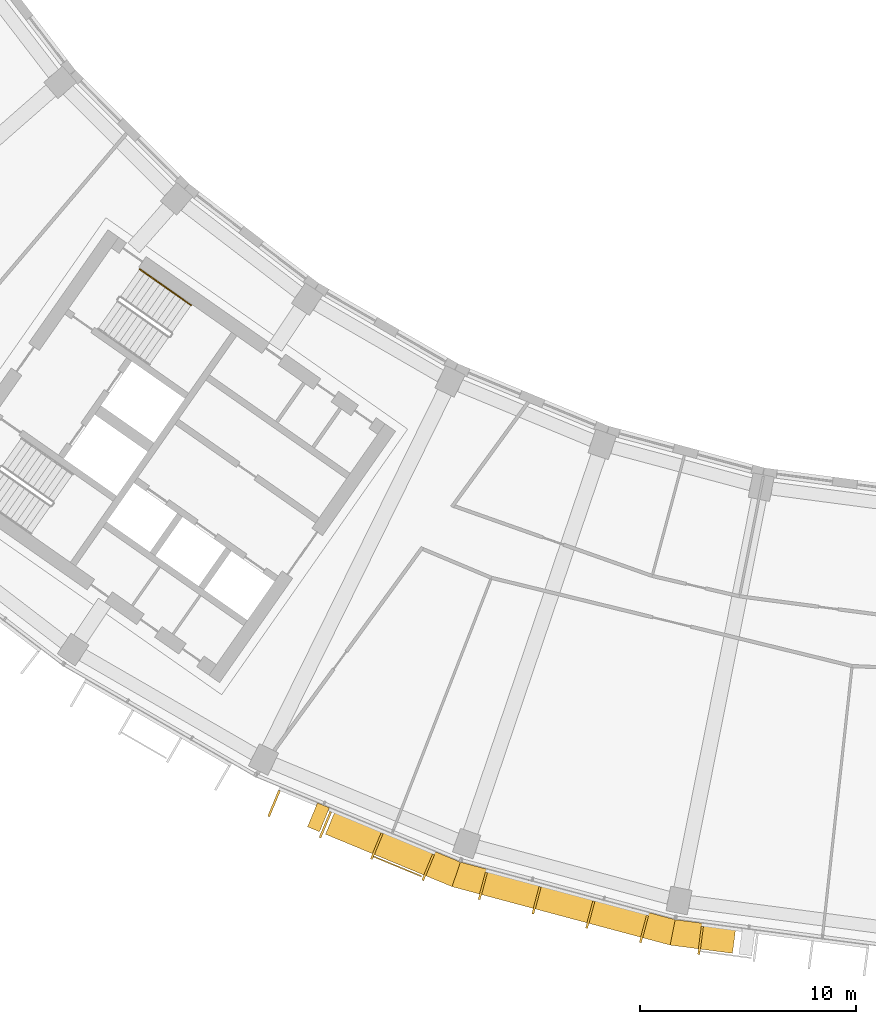
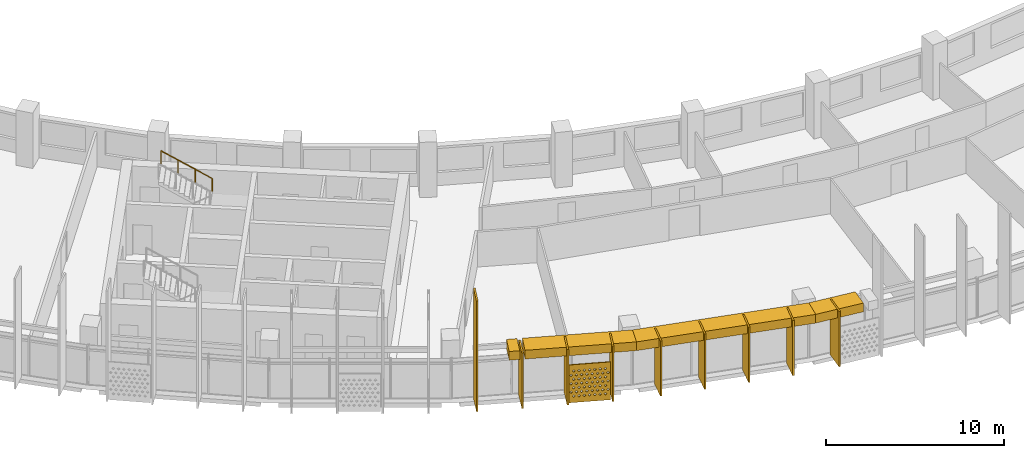
# One storey, part 24 of 28: 14 shading devices, 1 railing.
"""IFC4 building model written with IfcOpenShell, lengths in metres."""

from ifc_helpers import new_model, si_unit, direction, frame, origin, origin_2d, place, context, subcontext, project, spatial, polyline, rectangle, circle, outline, extrude, material, material_profile, profile_set, type_object, element, save


model = new_model("IFC4")

# Units and contexts
model_context = context("Model", 3, precision=1e-05, world=origin(), true_north=direction((0.0, 1.0)))
body_context = subcontext(model_context, "Body", "Model", "MODEL_VIEW")
ifc_project = project(units=[si_unit("LENGTHUNIT", "METRE"), si_unit("AREAUNIT", "SQUARE_METRE"), si_unit("VOLUMEUNIT", "CUBIC_METRE"), si_unit("PLANEANGLEUNIT", "RADIAN"), si_unit("MASSUNIT", "GRAM", prefix="KILO")], contexts=[model_context])

# Site, building, storey
site_placement = place(None, origin())
site = spatial("IfcSite", under=ifc_project, at=site_placement, CompositionType="ELEMENT")
building_placement = place(site_placement, origin())
building = spatial("IfcBuilding", under=site, at=building_placement, Name="Qamariyya Broadcast Tower", CompositionType="ELEMENT")
storey_placement = place(building_placement, frame((0.0, 0.0, 226.5)))
storey = spatial("IfcBuildingStorey", under=building, at=storey_placement, Name="L54", CompositionType="ELEMENT", Elevation=226.5)

# Shading devices
ifc_material_1 = material(Name="Steel S355 powder coated deep red", Category="steel")
shading_device_type_1 = type_object("IfcShadingDeviceType", Name="Deep red frame, powder coated steel box section", PredefinedType="USERDEFINED", material=ifc_material_1)
shading_device_1_placement = place(storey_placement, frame((0.0, 0.0, 3.199951171875)))
element("IfcShadingDevice", 1, at=shading_device_1_placement, inside=storey, type_object=shading_device_type_1, Name="e-frm-B4-F1-posta-L54", ObjectType="FRAME", PredefinedType="USERDEFINED", context=body_context, shape_type="SweptSolid", body=[
    extrude(outline(polyline([(-31.89501953125, -71.736572265625), (-32.35400390625, -72.84521484375), (-31.7998046875, -73.074951171875), (-31.340576171875, -71.966064453125), (-31.89501953125, -71.736572265625)])), origin(), (0.0, 0.0, 1.0), 0.60009765625),
])
shading_device_2_placement = place(storey_placement, frame((0.0, 0.0, 3.199951171875)))
element("IfcShadingDevice", 2, at=shading_device_2_placement, inside=storey, type_object=shading_device_type_1, Name="e-frm-B4-F1-bot0", ObjectType="FRAME", PredefinedType="USERDEFINED", context=body_context, shape_type="SweptSolid", body=[
    extrude(outline(polyline([(-31.0634765625, -72.0810546875), (-31.522705078125, -73.189697265625), (-25.667724609375, -75.61474609375), (-25.28125, -74.47607421875), (-31.0634765625, -72.0810546875)])), origin(), (0.0, 0.0, 1.0), 0.60009765625),
])
shading_device_3_placement = place(storey_placement, frame((0.0, 0.0, 3.199951171875)))
element("IfcShadingDevice", 3, at=shading_device_3_placement, inside=storey, type_object=shading_device_type_1, Name="e-frm-B4-F1-bot1", ObjectType="FRAME", PredefinedType="USERDEFINED", context=body_context, shape_type="SweptSolid", body=[
    extrude(outline(polyline([(-25.28125, -74.47607421875), (-25.667724609375, -75.61474609375), (-15.578369140625, -78.318115234375), (-15.34375, -77.138671875), (-25.28125, -74.47607421875)])), origin(), (0.0, 0.0, 1.0), 0.60009765625),
])
shading_device_4_placement = place(storey_placement, frame((0.0, 0.0, 3.199951171875)))
element("IfcShadingDevice", 4, at=shading_device_4_placement, inside=storey, type_object=shading_device_type_1, Name="e-frm-B4-F1-bot2", ObjectType="FRAME", PredefinedType="USERDEFINED", context=body_context, shape_type="SweptSolid", body=[
    extrude(outline(polyline([(-15.34375, -77.138671875), (-15.578369140625, -78.318115234375), (-12.6953125, -78.69775390625), (-12.538818359375, -77.508056640625), (-15.34375, -77.138671875)])), origin(), (0.0, 0.0, 1.0), 0.60009765625),
])
ifc_material_2 = material(Name="Perforated glazed terracotta", Category="masonry")
ifc_material_profile_1 = material_profile(ifc_material_2, outline(polyline([(-1.199951171875, -1.300048828125), (1.199951171875, -1.300048828125), (1.199951171875, 1.300048828125), (-1.199951171875, 1.300048828125), (-1.199951171875, -1.300048828125)]), holes=[polyline([(-0.81494140625, -0.86669921875), (-0.89990234375, -0.78173828125), (-0.985107421875, -0.86669921875), (-0.89990234375, -0.95166015625), (-0.81494140625, -0.86669921875)]), polyline([(-0.514892578125, -0.86669921875), (-0.60009765625, -0.78173828125), (-0.68505859375, -0.86669921875), (-0.60009765625, -0.95166015625), (-0.514892578125, -0.86669921875)]), polyline([(-0.215087890625, -0.86669921875), (-0.300048828125, -0.78173828125), (-0.385009765625, -0.86669921875), (-0.300048828125, -0.95166015625), (-0.215087890625, -0.86669921875)]), polyline([(0.0849609375, -0.86669921875), (0.0, -0.78173828125), (-0.0849609375, -0.86669921875), (0.0, -0.95166015625), (0.0849609375, -0.86669921875)]), polyline([(0.385009765625, -0.86669921875), (0.300048828125, -0.78173828125), (0.215087890625, -0.86669921875), (0.300048828125, -0.95166015625), (0.385009765625, -0.86669921875)]), polyline([(0.68505859375, -0.86669921875), (0.60009765625, -0.78173828125), (0.514892578125, -0.86669921875), (0.60009765625, -0.95166015625), (0.68505859375, -0.86669921875)]), polyline([(0.985107421875, -0.86669921875), (0.89990234375, -0.78173828125), (0.81494140625, -0.86669921875), (0.89990234375, -0.95166015625), (0.985107421875, -0.86669921875)]), polyline([(-0.965087890625, -0.577880859375), (-1.050048828125, -0.49267578125), (-1.135009765625, -0.577880859375), (-1.050048828125, -0.662841796875), (-0.965087890625, -0.577880859375)]), polyline([(-0.6650390625, -0.577880859375), (-0.75, -0.49267578125), (-0.8349609375, -0.577880859375), (-0.75, -0.662841796875), (-0.6650390625, -0.577880859375)]), polyline([(-0.364990234375, -0.577880859375), (-0.449951171875, -0.49267578125), (-0.534912109375, -0.577880859375), (-0.449951171875, -0.662841796875), (-0.364990234375, -0.577880859375)]), polyline([(-0.06494140625, -0.577880859375), (-0.14990234375, -0.49267578125), (-0.235107421875, -0.577880859375), (-0.14990234375, -0.662841796875), (-0.06494140625, -0.577880859375)]), polyline([(0.235107421875, -0.577880859375), (0.14990234375, -0.49267578125), (0.06494140625, -0.577880859375), (0.14990234375, -0.662841796875), (0.235107421875, -0.577880859375)]), polyline([(0.534912109375, -0.577880859375), (0.449951171875, -0.49267578125), (0.364990234375, -0.577880859375), (0.449951171875, -0.662841796875), (0.534912109375, -0.577880859375)]), polyline([(0.8349609375, -0.577880859375), (0.75, -0.49267578125), (0.6650390625, -0.577880859375), (0.75, -0.662841796875), (0.8349609375, -0.577880859375)]), polyline([(1.135009765625, -0.577880859375), (1.050048828125, -0.49267578125), (0.965087890625, -0.577880859375), (1.050048828125, -0.662841796875), (1.135009765625, -0.577880859375)]), polyline([(-0.81494140625, -0.288818359375), (-0.89990234375, -0.203857421875), (-0.985107421875, -0.288818359375), (-0.89990234375, -0.373779296875), (-0.81494140625, -0.288818359375)]), polyline([(-0.514892578125, -0.288818359375), (-0.60009765625, -0.203857421875), (-0.68505859375, -0.288818359375), (-0.60009765625, -0.373779296875), (-0.514892578125, -0.288818359375)]), polyline([(-0.215087890625, -0.288818359375), (-0.300048828125, -0.203857421875), (-0.385009765625, -0.288818359375), (-0.300048828125, -0.373779296875), (-0.215087890625, -0.288818359375)]), polyline([(0.0849609375, -0.288818359375), (0.0, -0.203857421875), (-0.0849609375, -0.288818359375), (0.0, -0.373779296875), (0.0849609375, -0.288818359375)]), polyline([(0.385009765625, -0.288818359375), (0.300048828125, -0.203857421875), (0.215087890625, -0.288818359375), (0.300048828125, -0.373779296875), (0.385009765625, -0.288818359375)]), polyline([(0.68505859375, -0.288818359375), (0.60009765625, -0.203857421875), (0.514892578125, -0.288818359375), (0.60009765625, -0.373779296875), (0.68505859375, -0.288818359375)]), polyline([(0.985107421875, -0.288818359375), (0.89990234375, -0.203857421875), (0.81494140625, -0.288818359375), (0.89990234375, -0.373779296875), (0.985107421875, -0.288818359375)]), polyline([(-0.965087890625, 0.0), (-1.050048828125, 0.0849609375), (-1.135009765625, 0.0), (-1.050048828125, -0.0849609375), (-0.965087890625, 0.0)]), polyline([(-0.6650390625, 0.0), (-0.75, 0.0849609375), (-0.8349609375, 0.0), (-0.75, -0.0849609375), (-0.6650390625, 0.0)]), polyline([(-0.364990234375, 0.0), (-0.449951171875, 0.0849609375), (-0.534912109375, 0.0), (-0.449951171875, -0.0849609375), (-0.364990234375, 0.0)]), polyline([(-0.06494140625, 0.0), (-0.14990234375, 0.0849609375), (-0.235107421875, 0.0), (-0.14990234375, -0.0849609375), (-0.06494140625, 0.0)]), polyline([(0.235107421875, 0.0), (0.14990234375, 0.0849609375), (0.06494140625, 0.0), (0.14990234375, -0.0849609375), (0.235107421875, 0.0)]), polyline([(0.534912109375, 0.0), (0.449951171875, 0.0849609375), (0.364990234375, 0.0), (0.449951171875, -0.0849609375), (0.534912109375, 0.0)]), polyline([(0.8349609375, 0.0), (0.75, 0.0849609375), (0.6650390625, 0.0), (0.75, -0.0849609375), (0.8349609375, 0.0)]), polyline([(1.135009765625, 0.0), (1.050048828125, 0.0849609375), (0.965087890625, 0.0), (1.050048828125, -0.0849609375), (1.135009765625, 0.0)]), polyline([(-0.81494140625, 0.288818359375), (-0.89990234375, 0.373779296875), (-0.985107421875, 0.288818359375), (-0.89990234375, 0.203857421875), (-0.81494140625, 0.288818359375)]), polyline([(-0.514892578125, 0.288818359375), (-0.60009765625, 0.373779296875), (-0.68505859375, 0.288818359375), (-0.60009765625, 0.203857421875), (-0.514892578125, 0.288818359375)]), polyline([(-0.215087890625, 0.288818359375), (-0.300048828125, 0.373779296875), (-0.385009765625, 0.288818359375), (-0.300048828125, 0.203857421875), (-0.215087890625, 0.288818359375)]), polyline([(0.0849609375, 0.288818359375), (0.0, 0.373779296875), (-0.0849609375, 0.288818359375), (0.0, 0.203857421875), (0.0849609375, 0.288818359375)]), polyline([(0.385009765625, 0.288818359375), (0.300048828125, 0.373779296875), (0.215087890625, 0.288818359375), (0.300048828125, 0.203857421875), (0.385009765625, 0.288818359375)]), polyline([(0.68505859375, 0.288818359375), (0.60009765625, 0.373779296875), (0.514892578125, 0.288818359375), (0.60009765625, 0.203857421875), (0.68505859375, 0.288818359375)]), polyline([(0.985107421875, 0.288818359375), (0.89990234375, 0.373779296875), (0.81494140625, 0.288818359375), (0.89990234375, 0.203857421875), (0.985107421875, 0.288818359375)]), polyline([(-0.965087890625, 0.577880859375), (-1.050048828125, 0.662841796875), (-1.135009765625, 0.577880859375), (-1.050048828125, 0.49267578125), (-0.965087890625, 0.577880859375)]), polyline([(-0.6650390625, 0.577880859375), (-0.75, 0.662841796875), (-0.8349609375, 0.577880859375), (-0.75, 0.49267578125), (-0.6650390625, 0.577880859375)]), polyline([(-0.364990234375, 0.577880859375), (-0.449951171875, 0.662841796875), (-0.534912109375, 0.577880859375), (-0.449951171875, 0.49267578125), (-0.364990234375, 0.577880859375)]), polyline([(-0.06494140625, 0.577880859375), (-0.14990234375, 0.662841796875), (-0.235107421875, 0.577880859375), (-0.14990234375, 0.49267578125), (-0.06494140625, 0.577880859375)]), polyline([(0.235107421875, 0.577880859375), (0.14990234375, 0.662841796875), (0.06494140625, 0.577880859375), (0.14990234375, 0.49267578125), (0.235107421875, 0.577880859375)]), polyline([(0.534912109375, 0.577880859375), (0.449951171875, 0.662841796875), (0.364990234375, 0.577880859375), (0.449951171875, 0.49267578125), (0.534912109375, 0.577880859375)]), polyline([(0.8349609375, 0.577880859375), (0.75, 0.662841796875), (0.6650390625, 0.577880859375), (0.75, 0.49267578125), (0.8349609375, 0.577880859375)]), polyline([(1.135009765625, 0.577880859375), (1.050048828125, 0.662841796875), (0.965087890625, 0.577880859375), (1.050048828125, 0.49267578125), (1.135009765625, 0.577880859375)]), polyline([(-0.81494140625, 0.86669921875), (-0.89990234375, 0.95166015625), (-0.985107421875, 0.86669921875), (-0.89990234375, 0.78173828125), (-0.81494140625, 0.86669921875)]), polyline([(-0.514892578125, 0.86669921875), (-0.60009765625, 0.95166015625), (-0.68505859375, 0.86669921875), (-0.60009765625, 0.78173828125), (-0.514892578125, 0.86669921875)]), polyline([(-0.215087890625, 0.86669921875), (-0.300048828125, 0.95166015625), (-0.385009765625, 0.86669921875), (-0.300048828125, 0.78173828125), (-0.215087890625, 0.86669921875)]), polyline([(0.0849609375, 0.86669921875), (0.0, 0.95166015625), (-0.0849609375, 0.86669921875), (0.0, 0.78173828125), (0.0849609375, 0.86669921875)]), polyline([(0.385009765625, 0.86669921875), (0.300048828125, 0.95166015625), (0.215087890625, 0.86669921875), (0.300048828125, 0.78173828125), (0.385009765625, 0.86669921875)]), polyline([(0.68505859375, 0.86669921875), (0.60009765625, 0.95166015625), (0.514892578125, 0.86669921875), (0.60009765625, 0.78173828125), (0.68505859375, 0.86669921875)]), polyline([(0.985107421875, 0.86669921875), (0.89990234375, 0.95166015625), (0.81494140625, 0.86669921875), (0.89990234375, 0.78173828125), (0.985107421875, 0.86669921875)])]))
ifc_profile_set_1 = profile_set([ifc_material_profile_1], Name="Perforated glazed terracotta")
shading_device_type_2 = type_object("IfcShadingDeviceType", Name="Perforated terracotta screen 2400 x 2600", PredefinedType="USERDEFINED", material=ifc_profile_set_1)
shading_device_5_placement = place(storey_placement, frame((-28.1767578125, -74.6513671875, 1.35009765625), z_axis=(-0.382591441855, -0.923917630863, 0.0), x_axis=(0.923917630863, -0.382591441855, 0.0)))
element("IfcShadingDevice", 5, at=shading_device_5_placement, inside=storey, type_object=shading_device_type_2, Name="e-scr-L54-05-2", ObjectType="SCREEN", PredefinedType="USERDEFINED", context=body_context, shape_type="SweptSolid", body=[
    extrude(outline(polyline([(-1.199951171875, -1.300048828125), (1.199951171875, -1.300048828125), (1.199951171875, 1.300048828125), (-1.199951171875, 1.300048828125), (-1.199951171875, -1.300048828125)]), holes=[polyline([(-0.81494140625, -0.86669921875), (-0.89990234375, -0.78173828125), (-0.985107421875, -0.86669921875), (-0.89990234375, -0.95166015625), (-0.81494140625, -0.86669921875)]), polyline([(-0.514892578125, -0.86669921875), (-0.60009765625, -0.78173828125), (-0.68505859375, -0.86669921875), (-0.60009765625, -0.95166015625), (-0.514892578125, -0.86669921875)]), polyline([(-0.215087890625, -0.86669921875), (-0.300048828125, -0.78173828125), (-0.385009765625, -0.86669921875), (-0.300048828125, -0.95166015625), (-0.215087890625, -0.86669921875)]), polyline([(0.0849609375, -0.86669921875), (0.0, -0.78173828125), (-0.0849609375, -0.86669921875), (0.0, -0.95166015625), (0.0849609375, -0.86669921875)]), polyline([(0.385009765625, -0.86669921875), (0.300048828125, -0.78173828125), (0.215087890625, -0.86669921875), (0.300048828125, -0.95166015625), (0.385009765625, -0.86669921875)]), polyline([(0.68505859375, -0.86669921875), (0.60009765625, -0.78173828125), (0.514892578125, -0.86669921875), (0.60009765625, -0.95166015625), (0.68505859375, -0.86669921875)]), polyline([(0.985107421875, -0.86669921875), (0.89990234375, -0.78173828125), (0.81494140625, -0.86669921875), (0.89990234375, -0.95166015625), (0.985107421875, -0.86669921875)]), polyline([(-0.965087890625, -0.577880859375), (-1.050048828125, -0.49267578125), (-1.135009765625, -0.577880859375), (-1.050048828125, -0.662841796875), (-0.965087890625, -0.577880859375)]), polyline([(-0.6650390625, -0.577880859375), (-0.75, -0.49267578125), (-0.8349609375, -0.577880859375), (-0.75, -0.662841796875), (-0.6650390625, -0.577880859375)]), polyline([(-0.364990234375, -0.577880859375), (-0.449951171875, -0.49267578125), (-0.534912109375, -0.577880859375), (-0.449951171875, -0.662841796875), (-0.364990234375, -0.577880859375)]), polyline([(-0.06494140625, -0.577880859375), (-0.14990234375, -0.49267578125), (-0.235107421875, -0.577880859375), (-0.14990234375, -0.662841796875), (-0.06494140625, -0.577880859375)]), polyline([(0.235107421875, -0.577880859375), (0.14990234375, -0.49267578125), (0.06494140625, -0.577880859375), (0.14990234375, -0.662841796875), (0.235107421875, -0.577880859375)]), polyline([(0.534912109375, -0.577880859375), (0.449951171875, -0.49267578125), (0.364990234375, -0.577880859375), (0.449951171875, -0.662841796875), (0.534912109375, -0.577880859375)]), polyline([(0.8349609375, -0.577880859375), (0.75, -0.49267578125), (0.6650390625, -0.577880859375), (0.75, -0.662841796875), (0.8349609375, -0.577880859375)]), polyline([(1.135009765625, -0.577880859375), (1.050048828125, -0.49267578125), (0.965087890625, -0.577880859375), (1.050048828125, -0.662841796875), (1.135009765625, -0.577880859375)]), polyline([(-0.81494140625, -0.288818359375), (-0.89990234375, -0.203857421875), (-0.985107421875, -0.288818359375), (-0.89990234375, -0.373779296875), (-0.81494140625, -0.288818359375)]), polyline([(-0.514892578125, -0.288818359375), (-0.60009765625, -0.203857421875), (-0.68505859375, -0.288818359375), (-0.60009765625, -0.373779296875), (-0.514892578125, -0.288818359375)]), polyline([(-0.215087890625, -0.288818359375), (-0.300048828125, -0.203857421875), (-0.385009765625, -0.288818359375), (-0.300048828125, -0.373779296875), (-0.215087890625, -0.288818359375)]), polyline([(0.0849609375, -0.288818359375), (0.0, -0.203857421875), (-0.0849609375, -0.288818359375), (0.0, -0.373779296875), (0.0849609375, -0.288818359375)]), polyline([(0.385009765625, -0.288818359375), (0.300048828125, -0.203857421875), (0.215087890625, -0.288818359375), (0.300048828125, -0.373779296875), (0.385009765625, -0.288818359375)]), polyline([(0.68505859375, -0.288818359375), (0.60009765625, -0.203857421875), (0.514892578125, -0.288818359375), (0.60009765625, -0.373779296875), (0.68505859375, -0.288818359375)]), polyline([(0.985107421875, -0.288818359375), (0.89990234375, -0.203857421875), (0.81494140625, -0.288818359375), (0.89990234375, -0.373779296875), (0.985107421875, -0.288818359375)]), polyline([(-0.965087890625, 0.0), (-1.050048828125, 0.0849609375), (-1.135009765625, 0.0), (-1.050048828125, -0.0849609375), (-0.965087890625, 0.0)]), polyline([(-0.6650390625, 0.0), (-0.75, 0.0849609375), (-0.8349609375, 0.0), (-0.75, -0.0849609375), (-0.6650390625, 0.0)]), polyline([(-0.364990234375, 0.0), (-0.449951171875, 0.0849609375), (-0.534912109375, 0.0), (-0.449951171875, -0.0849609375), (-0.364990234375, 0.0)]), polyline([(-0.06494140625, 0.0), (-0.14990234375, 0.0849609375), (-0.235107421875, 0.0), (-0.14990234375, -0.0849609375), (-0.06494140625, 0.0)]), polyline([(0.235107421875, 0.0), (0.14990234375, 0.0849609375), (0.06494140625, 0.0), (0.14990234375, -0.0849609375), (0.235107421875, 0.0)]), polyline([(0.534912109375, 0.0), (0.449951171875, 0.0849609375), (0.364990234375, 0.0), (0.449951171875, -0.0849609375), (0.534912109375, 0.0)]), polyline([(0.8349609375, 0.0), (0.75, 0.0849609375), (0.6650390625, 0.0), (0.75, -0.0849609375), (0.8349609375, 0.0)]), polyline([(1.135009765625, 0.0), (1.050048828125, 0.0849609375), (0.965087890625, 0.0), (1.050048828125, -0.0849609375), (1.135009765625, 0.0)]), polyline([(-0.81494140625, 0.288818359375), (-0.89990234375, 0.373779296875), (-0.985107421875, 0.288818359375), (-0.89990234375, 0.203857421875), (-0.81494140625, 0.288818359375)]), polyline([(-0.514892578125, 0.288818359375), (-0.60009765625, 0.373779296875), (-0.68505859375, 0.288818359375), (-0.60009765625, 0.203857421875), (-0.514892578125, 0.288818359375)]), polyline([(-0.215087890625, 0.288818359375), (-0.300048828125, 0.373779296875), (-0.385009765625, 0.288818359375), (-0.300048828125, 0.203857421875), (-0.215087890625, 0.288818359375)]), polyline([(0.0849609375, 0.288818359375), (0.0, 0.373779296875), (-0.0849609375, 0.288818359375), (0.0, 0.203857421875), (0.0849609375, 0.288818359375)]), polyline([(0.385009765625, 0.288818359375), (0.300048828125, 0.373779296875), (0.215087890625, 0.288818359375), (0.300048828125, 0.203857421875), (0.385009765625, 0.288818359375)]), polyline([(0.68505859375, 0.288818359375), (0.60009765625, 0.373779296875), (0.514892578125, 0.288818359375), (0.60009765625, 0.203857421875), (0.68505859375, 0.288818359375)]), polyline([(0.985107421875, 0.288818359375), (0.89990234375, 0.373779296875), (0.81494140625, 0.288818359375), (0.89990234375, 0.203857421875), (0.985107421875, 0.288818359375)]), polyline([(-0.965087890625, 0.577880859375), (-1.050048828125, 0.662841796875), (-1.135009765625, 0.577880859375), (-1.050048828125, 0.49267578125), (-0.965087890625, 0.577880859375)]), polyline([(-0.6650390625, 0.577880859375), (-0.75, 0.662841796875), (-0.8349609375, 0.577880859375), (-0.75, 0.49267578125), (-0.6650390625, 0.577880859375)]), polyline([(-0.364990234375, 0.577880859375), (-0.449951171875, 0.662841796875), (-0.534912109375, 0.577880859375), (-0.449951171875, 0.49267578125), (-0.364990234375, 0.577880859375)]), polyline([(-0.06494140625, 0.577880859375), (-0.14990234375, 0.662841796875), (-0.235107421875, 0.577880859375), (-0.14990234375, 0.49267578125), (-0.06494140625, 0.577880859375)]), polyline([(0.235107421875, 0.577880859375), (0.14990234375, 0.662841796875), (0.06494140625, 0.577880859375), (0.14990234375, 0.49267578125), (0.235107421875, 0.577880859375)]), polyline([(0.534912109375, 0.577880859375), (0.449951171875, 0.662841796875), (0.364990234375, 0.577880859375), (0.449951171875, 0.49267578125), (0.534912109375, 0.577880859375)]), polyline([(0.8349609375, 0.577880859375), (0.75, 0.662841796875), (0.6650390625, 0.577880859375), (0.75, 0.49267578125), (0.8349609375, 0.577880859375)]), polyline([(1.135009765625, 0.577880859375), (1.050048828125, 0.662841796875), (0.965087890625, 0.577880859375), (1.050048828125, 0.49267578125), (1.135009765625, 0.577880859375)]), polyline([(-0.81494140625, 0.86669921875), (-0.89990234375, 0.95166015625), (-0.985107421875, 0.86669921875), (-0.89990234375, 0.78173828125), (-0.81494140625, 0.86669921875)]), polyline([(-0.514892578125, 0.86669921875), (-0.60009765625, 0.95166015625), (-0.68505859375, 0.86669921875), (-0.60009765625, 0.78173828125), (-0.514892578125, 0.86669921875)]), polyline([(-0.215087890625, 0.86669921875), (-0.300048828125, 0.95166015625), (-0.385009765625, 0.86669921875), (-0.300048828125, 0.78173828125), (-0.215087890625, 0.86669921875)]), polyline([(0.0849609375, 0.86669921875), (0.0, 0.95166015625), (-0.0849609375, 0.86669921875), (0.0, 0.78173828125), (0.0849609375, 0.86669921875)]), polyline([(0.385009765625, 0.86669921875), (0.300048828125, 0.95166015625), (0.215087890625, 0.86669921875), (0.300048828125, 0.78173828125), (0.385009765625, 0.86669921875)]), polyline([(0.68505859375, 0.86669921875), (0.60009765625, 0.95166015625), (0.514892578125, 0.86669921875), (0.60009765625, 0.78173828125), (0.68505859375, 0.86669921875)]), polyline([(0.985107421875, 0.86669921875), (0.89990234375, 0.95166015625), (0.81494140625, 0.86669921875), (0.89990234375, 0.78173828125), (0.985107421875, 0.86669921875)])]), origin(), (0.0, 0.0, 1.0), 0.06005859375),
])

# Railing
ifc_material_3 = material(Name="Stainless steel", Category="steel")
railing_type = type_object("IfcRailingType", Name="Stair handrail", PredefinedType="HANDRAIL", material=ifc_material_3)
railing_placement = place(storey_placement, frame((-37.73876953125, -48.7138671875, 2.07275390625)))
element("IfcRailing", 6, at=railing_placement, inside=storey, type_object=railing_type, Name="L54 ST-W2 stair handrail 2", PredefinedType="HANDRAIL", context=body_context, shape_type="SweptSolid", body=[
    extrude(circle(Radius=0.02392578125, at=origin_2d()), frame((0.0, 0.0, 0.8759765625), z_axis=(-0.703745009021, 0.492838488332, 0.511715923826), x_axis=(-0.573631830683, -0.819113253969, 0.0)), (0.0, 0.0, 1.0), 3.37548828125),
    extrude(circle(Radius=0.02099609375, at=origin_2d()), origin(), (0.0, 0.0, 1.0), 0.851806640625),
    extrude(circle(Radius=0.02099609375, at=origin_2d()), frame((-0.791748046875, 0.554443359375, 0.57568359375)), (0.0, 0.0, 1.0), 0.851806640625),
    extrude(circle(Radius=0.02099609375, at=origin_2d()), frame((-1.583740234375, 1.109130859375, 1.151611328125)), (0.0, 0.0, 1.0), 0.851806640625),
    extrude(circle(Radius=0.02099609375, at=origin_2d()), frame((-2.37548828125, 1.66357421875, 1.727294921875)), (0.0, 0.0, 1.0), 0.851806640625),
])

# Shading devices
ifc_material_4 = material(Name="Glazed terracotta", Category="masonry")
ifc_material_profile_2 = material_profile(ifc_material_4, rectangle(XDim=1.300048828125, YDim=0.10009765625, at=origin_2d()))
ifc_profile_set_2 = profile_set([ifc_material_profile_2], Name="Glazed terracotta")
shading_device_type_3 = type_object("IfcShadingDeviceType", Name="Terracotta fin 100 x 1300", PredefinedType="USERDEFINED", material=ifc_profile_set_2)
shading_device_6_placement = place(storey_placement, frame((-33.904052734375, -71.770263671875, 0.0), z_axis=(0.0, 0.0, 1.0), x_axis=(-0.382683432365, -0.923879532511, 0.0)))
element("IfcShadingDevice", 7, at=shading_device_6_placement, inside=storey, type_object=shading_device_type_3, Name="e-fin-L54-05-0", ObjectType="FIN", PredefinedType="USERDEFINED", context=body_context, shape_type="SweptSolid", body=[
    extrude(rectangle(XDim=1.300048828125, YDim=0.10009765625, at=origin_2d()), origin(), (0.0, 0.0, 1.0), 7.60009765625),
])
for number, where, z_axis, x_axis, name in (
    (8, (-31.52783203125, -72.754638671875, 0.0), (0.0, 0.0, 1.0), (-0.382683432365, -0.923879532511, 0.0), "e-fin-L54-05-1"),
    (9, (-29.151611328125, -73.73876953125, 0.0), (0.0, 0.0, 1.0), (-0.382683432365, -0.923879532511, 0.0), "e-fin-L54-05-2"),
    (10, (-26.775390625, -74.72314453125, 0.0), (0.0, 0.0, 1.0), (-0.382683432365, -0.923879532511, 0.0), "e-fin-L54-05-3"),
    (11, (-24.24609375, -75.58154296875, 0.0), (0.0, 0.0, 1.0), (-0.258819045103, -0.965925826289, 0.0), "e-fin-L54-06-0"),
    (12, (-21.76171875, -76.247314453125, 0.0), (0.0, 0.0, 1.0), (-0.258819045103, -0.965925826289, 0.0), "e-fin-L54-06-1"),
    (13, (-19.27734375, -76.9130859375, 0.0), (0.0, 0.0, 1.0), (-0.258819045103, -0.965925826289, 0.0), "e-fin-L54-06-2"),
    (14, (-16.79296875, -77.57861328125, 0.0), (0.0, 0.0, 1.0), (-0.258819045103, -0.965925826289, 0.0), "e-fin-L54-06-3"),
    (15, (-14.17333984375, -78.099853515625, 0.0), (0.0, 0.0, 1.0), (-0.13052619222, -0.991444861374, 0.0), "e-fin-L54-07-0"),
):
    element("IfcShadingDevice", number, at=place(storey_placement, frame(where, z_axis=z_axis, x_axis=x_axis)), inside=storey, type_object=shading_device_type_3, Name=name, ObjectType="FIN", PredefinedType="USERDEFINED", context=body_context, shape_type="SweptSolid", body=[
        extrude(rectangle(XDim=1.300048828125, YDim=0.10009765625, at=origin_2d()), origin(), (0.0, 0.0, 1.0), 3.800048828125),
    ])

save(model, "model.ifc")
